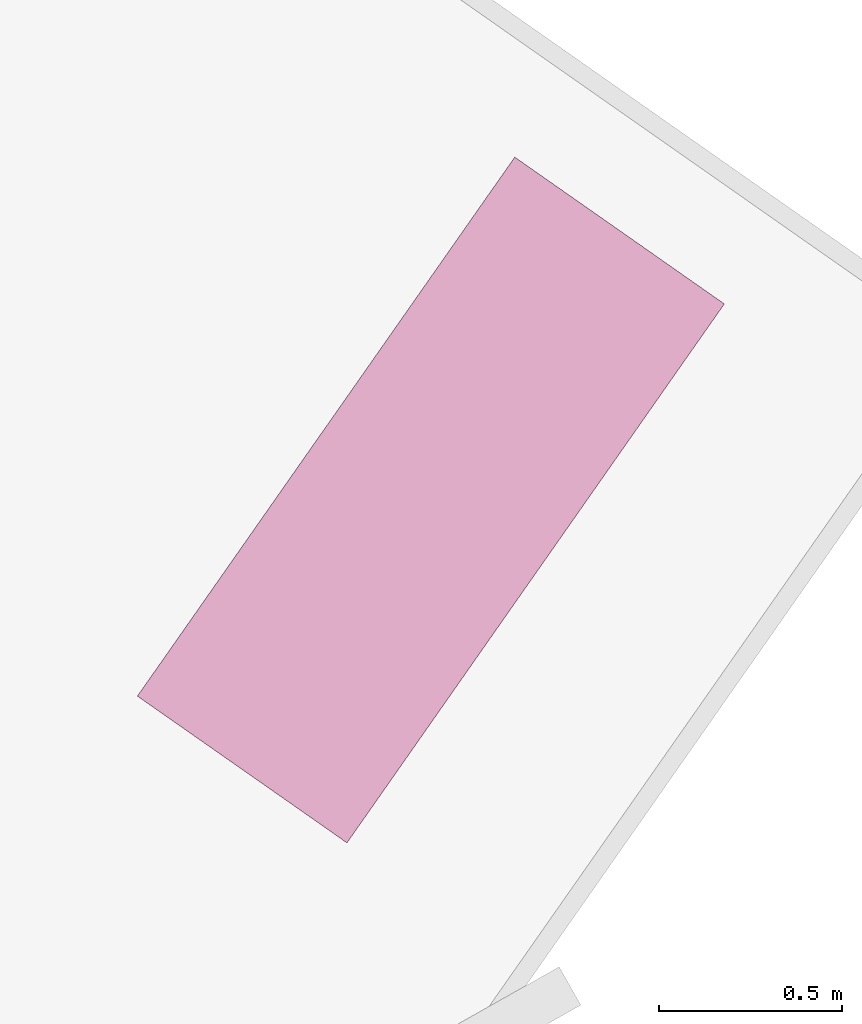
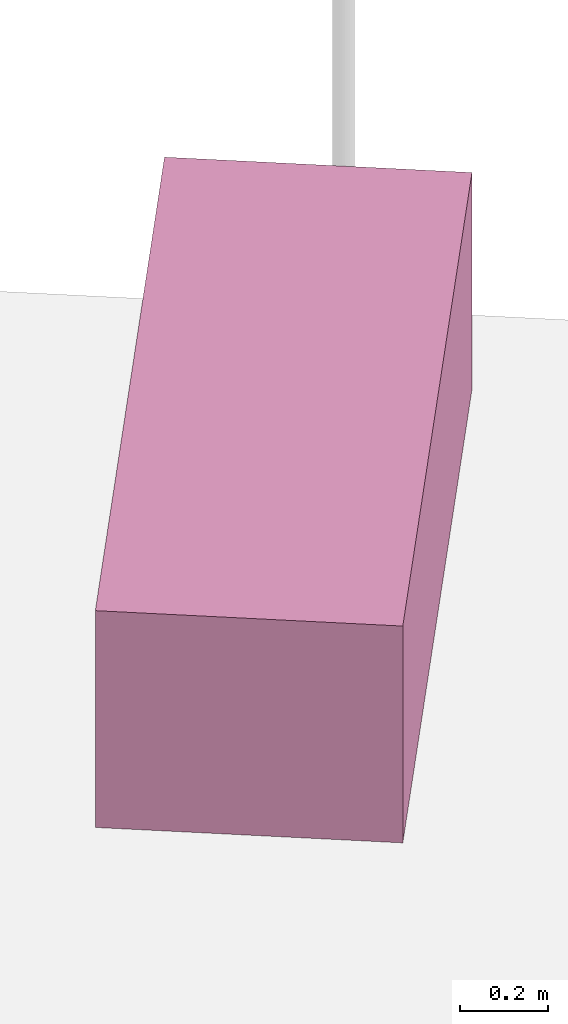
# One storey, part 20 of 20: 1 furniture element.
"""IFC4 building model written with IfcOpenShell, lengths in metres."""

from ifc_helpers import new_model, si_unit, direction, frame, origin, origin_2d, place, context, subcontext, project, spatial, rectangle, extrude, material, type_object, element, save


model = new_model("IFC4")

# Units and contexts
model_context = context("Model", 3, precision=1e-05, world=origin(), true_north=direction((0.0, 1.0)))
body_context = subcontext(model_context, "Body", "Model", "MODEL_VIEW")
ifc_project = project(units=[si_unit("LENGTHUNIT", "METRE"), si_unit("AREAUNIT", "SQUARE_METRE"), si_unit("VOLUMEUNIT", "CUBIC_METRE"), si_unit("PLANEANGLEUNIT", "RADIAN"), si_unit("MASSUNIT", "GRAM", prefix="KILO")], contexts=[model_context])

# Site, building, storey
site_placement = place(None, origin())
site = spatial("IfcSite", under=ifc_project, at=site_placement, CompositionType="ELEMENT")
building_placement = place(site_placement, origin())
building = spatial("IfcBuilding", under=site, at=building_placement, Name="Tel Ilan Convention Tower", CompositionType="ELEMENT")
storey_placement = place(building_placement, frame((0.0, 0.0, 248.800048828125)))
storey = spatial("IfcBuildingStorey", under=building, at=storey_placement, Name="L58", CompositionType="ELEMENT", Elevation=248.800048828125)

# Furniture
ifc_material = material(Name="Concrete C30/37", Category="concrete")
furniture_type = type_object("IfcFurnitureType", Name="PLANTER 1800x700", AssemblyPlace="NOTDEFINED", PredefinedType="NOTDEFINED", material=ifc_material)
furniture_placement = place(storey_placement, frame((31.2685546875, -13.40087890625, 0.0), z_axis=(0.0, 0.0, 1.0), x_axis=(-0.573576436351, -0.819152044289, 0.0)))
element("IfcFurniture", 1, at=furniture_placement, inside=storey, type_object=furniture_type, Name="PLANTER", PredefinedType="NOTDEFINED", context=body_context, shape_type="SweptSolid", body=[
    extrude(rectangle(XDim=1.800048828125, YDim=0.699951171875, at=origin_2d()), origin(), (0.0, 0.0, 1.0), 0.60009765625),
])

save(model, "model.ifc")
